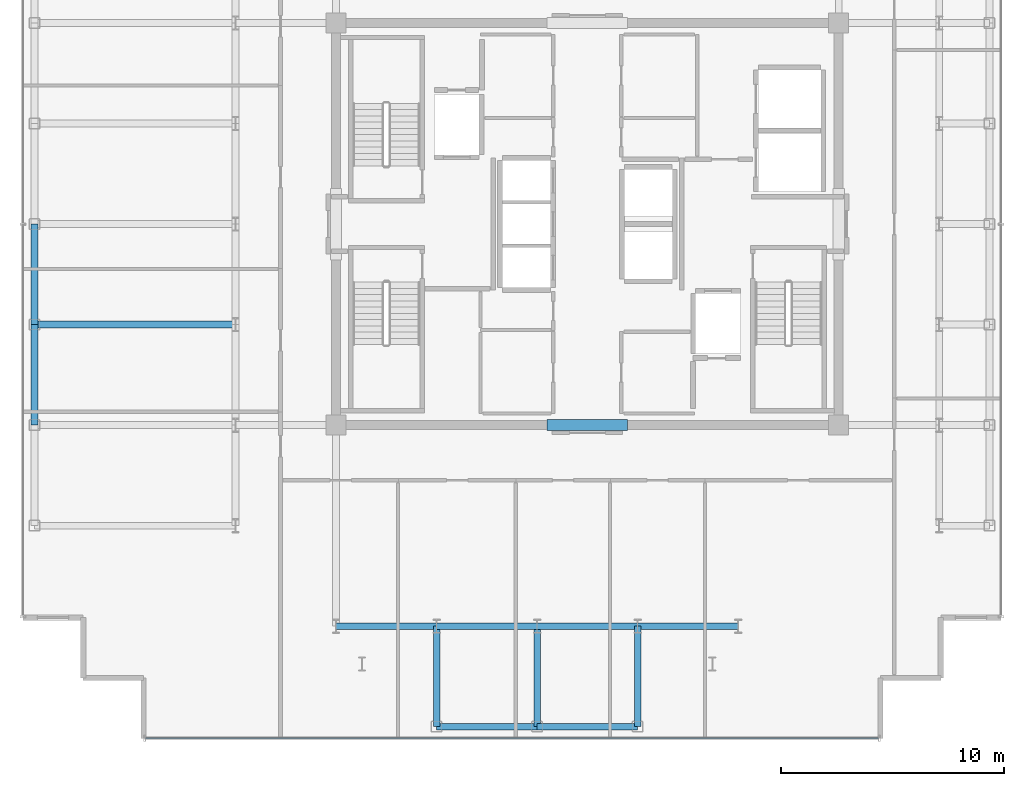
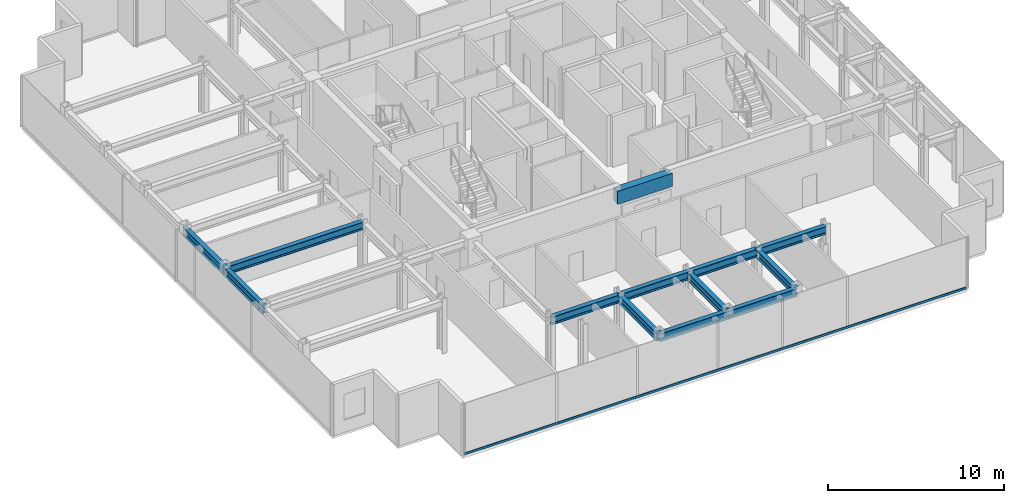
# One storey, part 3 of 18: 13 beams, 1 member, 1 element without a shape of its own.
"""IFC4 building model written with IfcOpenShell, lengths in metres."""

from ifc_helpers import new_model, si_unit, direction, frame, origin, origin_2d, place, context, subcontext, project, spatial, rectangle, hollow_rectangle, i_section, extrude, source, transform, mapped, material, layer, layer_set, material_profile, profile_set, type_object, element, aggregate, save


model = new_model("IFC4")

# Units and contexts
model_context = context("Model", 3, precision=1e-05, world=origin(), true_north=direction((0.0, 1.0)))
body_context = subcontext(model_context, "Body", "Model", "MODEL_VIEW")
ifc_project = project(units=[si_unit("LENGTHUNIT", "METRE"), si_unit("AREAUNIT", "SQUARE_METRE"), si_unit("VOLUMEUNIT", "CUBIC_METRE"), si_unit("PLANEANGLEUNIT", "RADIAN"), si_unit("MASSUNIT", "GRAM", prefix="KILO")], contexts=[model_context])

# Site, building, storey
site_placement = place(None, origin())
site = spatial("IfcSite", under=ifc_project, at=site_placement, CompositionType="ELEMENT")
building_placement = place(site_placement, origin())
building = spatial("IfcBuilding", under=site, at=building_placement, Name="Nefas-Gora Pilgrimage Tower", CompositionType="ELEMENT")
storey_placement = place(building_placement, frame((0.0, 0.0, 330.0)))
storey = spatial("IfcBuildingStorey", under=building, at=storey_placement, Name="L83", CompositionType="ELEMENT", Elevation=330.0)

# Beams
ifc_material_1 = material(Name="Concrete C50/60", Category="concrete")
ifc_material_profile_1 = material_profile(ifc_material_1, rectangle(XDim=0.5, YDim=0.89990234375, at=origin_2d()), Name="RC 500x900")
ifc_profile_set_1 = profile_set([ifc_material_profile_1], Name="Concrete C50/60")
beam_type_1 = type_object("IfcBeamType", Name="BM-LIN-RC900", PredefinedType="LINTEL", material=ifc_profile_set_1)
shared_shape_1 = source(origin(), body_context, "Body", "SweptSolid", [
    extrude(rectangle(XDim=0.5, YDim=0.89990234375, at=origin_2d()), origin(), (0.0, 0.0, 1.0), 3.60009765625),
])
beam_1_placement = place(storey_placement, frame((-1.800048828125, -9.0, 3.10009765625), z_axis=(1.0, 0.0, 0.0), x_axis=(0.0, 1.0, 0.0)))
element("IfcBeam", 1, at=beam_1_placement, inside=storey, type_object=beam_type_1, Name="L83 Core Coupling Lintel Beam S", PredefinedType="LINTEL", context=body_context, shape_type="MappedRepresentation", body=[
    mapped(shared_shape_1, transform((0.0, 0.0, 0.0), x_axis=(1.0, 0.0, 0.0), y_axis=(0.0, 1.0, 0.0), z_axis=(0.0, 0.0, 1.0), scale=1.0)),
])
ifc_material_2 = material(Name="Steel S355", Category="steel")
ifc_material_profile_2 = material_profile(ifc_material_2, i_section(OverallWidth=0.300048828125, OverallDepth=0.550048828125, WebThickness=0.014892578125, FlangeThickness=0.029052734375, FilletRadius=0.027099609375, at=origin_2d()), Name="HEB 550")
ifc_profile_set_2 = profile_set([ifc_material_profile_2], Name="Steel S355")
beam_type_2 = type_object("IfcBeamType", Name="BM-SPN-HEB400", PredefinedType="SPANDREL", material=ifc_profile_set_2)
shared_shape_2 = source(origin(), body_context, "Body", "SweptSolid", [
    extrude(i_section(OverallWidth=0.300048828125, OverallDepth=0.550048828125, WebThickness=0.014892578125, FlangeThickness=0.029052734375, FilletRadius=0.027099609375, at=origin_2d()), origin(), (0.0, 0.0, 1.0), 4.5),
])
for number, where, z_axis, x_axis, name in (
    (2, (-24.75, -9.0, 3.27490234375), (0.0, 1.0, 0.0), (-1.0, 0.0, 0.0), "L83 SP-04 beam"),
    (3, (-24.75, -4.5, 3.27490234375), (0.0, 1.0, 0.0), (-1.0, 0.0, 0.0), "L83 SP-04 beam"),
    (4, (-6.75, -22.5, 3.27490234375), (1.0, 0.0, 0.0), (0.0, 1.0, 0.0), "L83 SP-04 beam"),
    (5, (-2.25, -22.5, 3.27490234375), (1.0, 0.0, 0.0), (0.0, 1.0, 0.0), "L83 SP-04 beam"),
):
    element("IfcBeam", number, at=place(storey_placement, frame(where, z_axis=z_axis, x_axis=x_axis)), inside=storey, type_object=beam_type_2, Name=name, PredefinedType="SPANDREL", context=body_context, shape_type="MappedRepresentation", body=[
        mapped(shared_shape_2, transform((0.0, 0.0, 0.0), x_axis=(1.0, 0.0, 0.0), y_axis=(0.0, 1.0, 0.0), z_axis=(0.0, 0.0, 1.0), scale=1.0)),
    ])
ifc_material_profile_3 = material_profile(ifc_material_2, i_section(OverallWidth=0.300048828125, OverallDepth=0.550048828125, WebThickness=0.014892578125, FlangeThickness=0.029052734375, FilletRadius=0.027099609375, at=origin_2d()), Name="HEB 550")
ifc_profile_set_3 = profile_set([ifc_material_profile_3], Name="Steel S355")
beam_type_3 = type_object("IfcBeamType", Name="BM-GIR-HEB550", PredefinedType="BEAM", material=ifc_profile_set_3)
shared_shape_3 = source(origin(), body_context, "Body", "SweptSolid", [
    extrude(i_section(OverallWidth=0.300048828125, OverallDepth=0.550048828125, WebThickness=0.014892578125, FlangeThickness=0.029052734375, FilletRadius=0.027099609375, at=origin_2d()), origin(), (0.0, 0.0, 1.0), 9.0),
])
beam_2_placement = place(storey_placement, frame((-24.75, -4.5, 3.27490234375), z_axis=(1.0, 0.0, 0.0), x_axis=(0.0, 1.0, 0.0)))
element("IfcBeam", 6, at=beam_2_placement, inside=storey, type_object=beam_type_3, Name="L83 G-05 beam", PredefinedType="BEAM", context=body_context, shape_type="MappedRepresentation", body=[
    mapped(shared_shape_3, transform((0.0, 0.0, 0.0), x_axis=(1.0, 0.0, 0.0), y_axis=(0.0, 1.0, 0.0), z_axis=(0.0, 0.0, 1.0), scale=1.0)),
])
shared_shape_4 = source(origin(), body_context, "Body", "SweptSolid", [
    extrude(i_section(OverallWidth=0.300048828125, OverallDepth=0.550048828125, WebThickness=0.014892578125, FlangeThickness=0.029052734375, FilletRadius=0.027099609375, at=origin_2d()), origin(), (0.0, 0.0, 1.0), 4.5),
])
for number, where, z_axis, x_axis, name in (
    (7, (-11.25, -18.0, 3.27490234375), (1.0, 0.0, 0.0), (0.0, 1.0, 0.0), "L83 G-05 beam"),
    (8, (-6.75, -22.5, 3.27490234375), (0.0, 1.0, 0.0), (-1.0, 0.0, 0.0), "L83 G-05 beam"),
    (9, (-6.75, -18.0, 3.27490234375), (1.0, 0.0, 0.0), (0.0, 1.0, 0.0), "L83 G-05 beam"),
    (10, (-2.25, -22.5, 3.27490234375), (0.0, 1.0, 0.0), (-1.0, 0.0, 0.0), "L83 G-05 beam"),
    (11, (-2.25, -18.0, 3.27490234375), (1.0, 0.0, 0.0), (0.0, 1.0, 0.0), "L83 G-05 beam"),
    (12, (2.25, -22.5, 3.27490234375), (0.0, 1.0, 0.0), (-1.0, 0.0, 0.0), "L83 G-05 beam"),
    (13, (2.25, -18.0, 3.27490234375), (1.0, 0.0, 0.0), (0.0, 1.0, 0.0), "L83 G-05 beam"),
):
    element("IfcBeam", number, at=place(storey_placement, frame(where, z_axis=z_axis, x_axis=x_axis)), inside=storey, type_object=beam_type_3, Name=name, PredefinedType="BEAM", context=body_context, shape_type="MappedRepresentation", body=[
        mapped(shared_shape_4, transform((0.0, 0.0, 0.0), x_axis=(1.0, 0.0, 0.0), y_axis=(0.0, 1.0, 0.0), z_axis=(0.0, 0.0, 1.0), scale=1.0)),
    ])

# Curtain wall, member
ifc_material_3 = material(Name="Dark ceramic-fritted solar-control aluminium-glass curtain wall", Category="aluminium")
ifc_layer = layer(ifc_material_3, 0.219970703125)
ifc_layer_set = layer_set([ifc_layer], Name="Dark ceramic-fritted solar-control aluminium-glass curtain wall")
curtain_wall_type = type_object("IfcCurtainWallType", Name="CW-SYS-4", PredefinedType="NOTDEFINED", material=ifc_layer_set)
curtain_wall_placement = place(storey_placement, origin())
curtain_wall = element("IfcCurtainWall", 14, at=curtain_wall_placement, inside=storey, type_object=curtain_wall_type, Name="L83 Unitised Curtain Wall CW4", PredefinedType="NOTDEFINED")
ifc_material_4 = material(Name="Anodised architectural aluminium", Category="aluminium")
ifc_material_profile_4 = material_profile(ifc_material_4, hollow_rectangle(XDim=0.080078125, YDim=0.159912109375, WallThickness=0.00439453125, InnerFilletRadius=0.00439453125, OuterFilletRadius=0.009033203125, at=origin_2d()), Name="ALU TRANSOM 80x160")
ifc_profile_set_4 = profile_set([ifc_material_profile_4], Name="Anodised architectural aluminium")
member_type = type_object("IfcMemberType", Name="CWM-TRN-4", PredefinedType="USERDEFINED", material=ifc_profile_set_4)
shared_shape_5 = source(origin(), body_context, "Body", "SweptSolid", [
    extrude(hollow_rectangle(XDim=0.080078125, YDim=0.159912109375, WallThickness=0.00439453125, InnerFilletRadius=0.00439453125, OuterFilletRadius=0.009033203125, at=origin_2d()), origin(), (0.0, 0.0, 1.0), 32.81005859375),
])
member_placement = place(storey_placement, frame((-19.780029296875, -23.02001953125, 0.050048828125), z_axis=(1.0, 0.0, 0.0), x_axis=(0.0, 1.0, 0.0)))
member = element("IfcMember", 15, at=member_placement, type_object=member_type, Name="CW4 Spandrel Transom", ObjectType="TRANSOM", PredefinedType="USERDEFINED", context=body_context, shape_type="MappedRepresentation", body=[
    mapped(shared_shape_5, transform((0.0, 0.0, 0.0), x_axis=(1.0, 0.0, 0.0), y_axis=(0.0, 1.0, 0.0), z_axis=(0.0, 0.0, 1.0), scale=1.0)),
])
aggregate(curtain_wall, [member])

save(model, "model.ifc")
